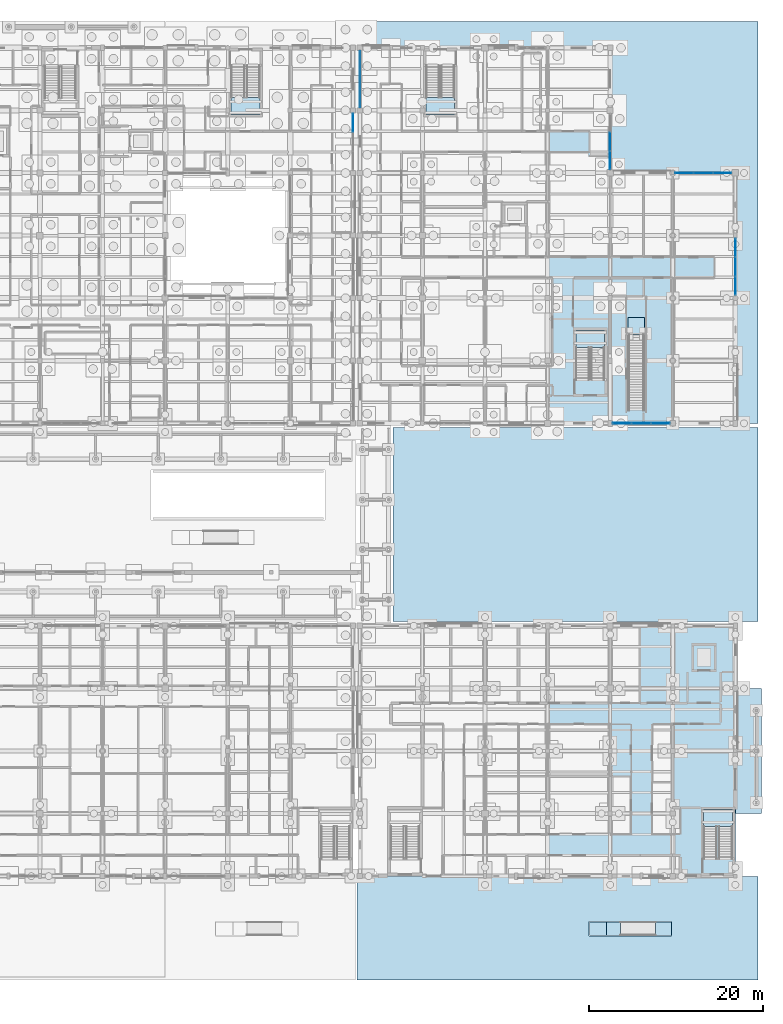
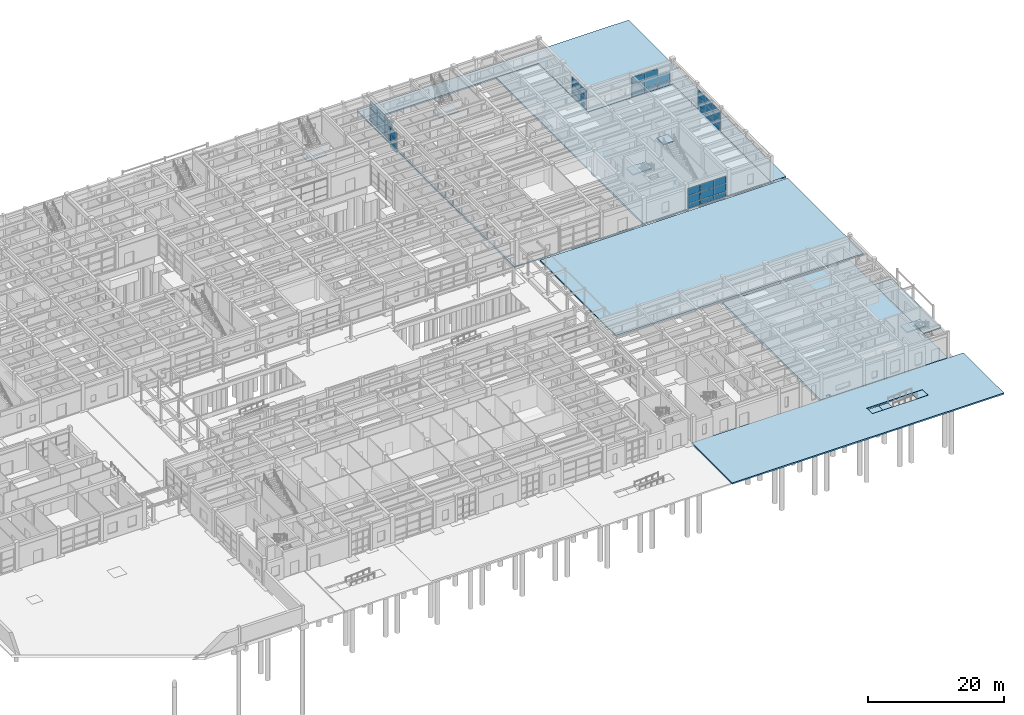
# One storey, part 86 of 143: 44 plates, 14 slabs, 12 elements without a shape of their own.
"""IFC4 building model written with IfcOpenShell, lengths in metres."""

from ifc_helpers import new_model, si_unit, direction, frame, origin, origin_2d, place, context, subcontext, project, spatial, polyline, rectangle, outline, extrude, material, layer, layer_set, type_object, element, aggregate, save


model = new_model("IFC4")

# Units and contexts
model_context = context("Model", 3, precision=1e-05, world=origin(), true_north=direction((0.0, 1.0)))
body_context = subcontext(model_context, "Body", "Model", "MODEL_VIEW")
ifc_project = project(units=[si_unit("LENGTHUNIT", "METRE"), si_unit("AREAUNIT", "SQUARE_METRE"), si_unit("VOLUMEUNIT", "CUBIC_METRE"), si_unit("PLANEANGLEUNIT", "RADIAN"), si_unit("MASSUNIT", "GRAM", prefix="KILO")], contexts=[model_context])

# Site, building, storey
site_placement = place(None, origin())
site = spatial("IfcSite", under=ifc_project, at=site_placement, CompositionType="ELEMENT")
building_placement = place(site_placement, origin())
building = spatial("IfcBuilding", under=site, at=building_placement, Name="Steenspoor Specialist Clinic", CompositionType="ELEMENT")
storey_placement = place(building_placement, origin())
storey = spatial("IfcBuildingStorey", under=building, at=storey_placement, Name="L00", CompositionType="ELEMENT", Elevation=0.0)

# Curtain wall, plates
ifc_material_1 = material(Name="Thermally broken aluminium and low-emissivity glass", Category="aluminium")
curtain_wall_type_1 = type_object("IfcCurtainWallType", Name="CW-SCR-360X320", PredefinedType="USERDEFINED", material=ifc_material_1)
curtain_wall_1_placement = place(storey_placement, origin())
curtain_wall_1 = element("IfcCurtainWall", 1, at=curtain_wall_1_placement, inside=storey, type_object=curtain_wall_type_1, Name="Unitised Curtain Wall CW-V6-L00-163", ObjectType="UNITISED GLAZING", PredefinedType="USERDEFINED")
ifc_material_2 = material(Name="Triple acoustic laminated low-emissivity glass", Category="glass")
ifc_layer_1 = layer(ifc_material_2, 0.048095703125)
ifc_layer_set_1 = layer_set([ifc_layer_1], Name="Triple acoustic laminated low-emissivity glass")
plate_type_1 = type_object("IfcPlateType", Name="CW-PAN-GL48", PredefinedType="CURTAIN_PANEL", material=ifc_layer_set_1)
plate_1_placement = place(storey_placement, frame((161.199951171875, 85.350830078125, 0.06005859375), z_axis=(0.0, 0.0, 1.0), x_axis=(0.0, -1.0, 0.0)))
plate_1 = element("IfcPlate", 2, at=plate_1_placement, type_object=plate_type_1, Name="CW-19 panel 1.1", PredefinedType="CURTAIN_PANEL", context=body_context, shape_type="SweptSolid", body=[
    extrude(rectangle(XDim=2.08837890625, YDim=0.048095703125, at=origin_2d()), origin(), (0.0, 0.0, 1.0), 0.81005859375),
])
plate_2_placement = place(storey_placement, frame((161.199951171875, 85.350830078125, 0.93017578125), z_axis=(0.0, 0.0, 1.0), x_axis=(0.0, -1.0, 0.0)))
plate_2 = element("IfcPlate", 3, at=plate_2_placement, type_object=plate_type_1, Name="CW-19 panel 1.2", PredefinedType="CURTAIN_PANEL", context=body_context, shape_type="SweptSolid", body=[
    extrude(rectangle(XDim=2.08837890625, YDim=0.048095703125, at=origin_2d()), origin(), (0.0, 0.0, 1.0), 1.389892578125),
])
plate_3_placement = place(storey_placement, frame((161.199951171875, 85.350830078125, 2.3798828125), z_axis=(0.0, 0.0, 1.0), x_axis=(0.0, -1.0, 0.0)))
plate_3 = element("IfcPlate", 4, at=plate_3_placement, type_object=plate_type_1, Name="CW-19 panel 1.3", PredefinedType="CURTAIN_PANEL", context=body_context, shape_type="SweptSolid", body=[
    extrude(rectangle(XDim=2.08837890625, YDim=0.048095703125, at=origin_2d()), origin(), (0.0, 0.0, 1.0), 1.260009765625),
])
plate_4_placement = place(storey_placement, frame((161.199951171875, 83.16259765625, 0.06005859375), z_axis=(0.0, 0.0, 1.0), x_axis=(0.0, -1.0, 0.0)))
plate_4 = element("IfcPlate", 5, at=plate_4_placement, type_object=plate_type_1, Name="CW-19 panel 2.1", PredefinedType="CURTAIN_PANEL", context=body_context, shape_type="SweptSolid", body=[
    extrude(rectangle(XDim=2.12841796875, YDim=0.048095703125, at=origin_2d()), origin(), (0.0, 0.0, 1.0), 0.81005859375),
])
plate_5_placement = place(storey_placement, frame((161.199951171875, 83.16259765625, 0.93017578125), z_axis=(0.0, 0.0, 1.0), x_axis=(0.0, -1.0, 0.0)))
plate_5 = element("IfcPlate", 6, at=plate_5_placement, type_object=plate_type_1, Name="CW-19 panel 2.2", PredefinedType="CURTAIN_PANEL", context=body_context, shape_type="SweptSolid", body=[
    extrude(rectangle(XDim=2.12841796875, YDim=0.048095703125, at=origin_2d()), origin(), (0.0, 0.0, 1.0), 1.389892578125),
])
plate_6_placement = place(storey_placement, frame((161.199951171875, 83.16259765625, 2.3798828125), z_axis=(0.0, 0.0, 1.0), x_axis=(0.0, -1.0, 0.0)))
plate_6 = element("IfcPlate", 7, at=plate_6_placement, type_object=plate_type_1, Name="CW-19 panel 2.3", PredefinedType="CURTAIN_PANEL", context=body_context, shape_type="SweptSolid", body=[
    extrude(rectangle(XDim=2.12841796875, YDim=0.048095703125, at=origin_2d()), origin(), (0.0, 0.0, 1.0), 1.260009765625),
])
plate_7_placement = place(storey_placement, frame((161.199951171875, 80.97412109375, 0.06005859375), z_axis=(0.0, 0.0, 1.0), x_axis=(0.0, -1.0, 0.0)))
plate_7 = element("IfcPlate", 8, at=plate_7_placement, type_object=plate_type_1, Name="CW-19 panel 3.1", PredefinedType="CURTAIN_PANEL", context=body_context, shape_type="SweptSolid", body=[
    extrude(rectangle(XDim=2.08837890625, YDim=0.048095703125, at=origin_2d()), origin(), (0.0, 0.0, 1.0), 0.81005859375),
])
plate_8_placement = place(storey_placement, frame((161.199951171875, 80.97412109375, 0.93017578125), z_axis=(0.0, 0.0, 1.0), x_axis=(0.0, -1.0, 0.0)))
plate_8 = element("IfcPlate", 9, at=plate_8_placement, type_object=plate_type_1, Name="CW-19 panel 3.2", PredefinedType="CURTAIN_PANEL", context=body_context, shape_type="SweptSolid", body=[
    extrude(rectangle(XDim=2.08837890625, YDim=0.048095703125, at=origin_2d()), origin(), (0.0, 0.0, 1.0), 1.389892578125),
])
plate_9_placement = place(storey_placement, frame((161.199951171875, 80.97412109375, 2.3798828125), z_axis=(0.0, 0.0, 1.0), x_axis=(0.0, -1.0, 0.0)))
plate_9 = element("IfcPlate", 10, at=plate_9_placement, type_object=plate_type_1, Name="CW-19 panel 3.3", PredefinedType="CURTAIN_PANEL", context=body_context, shape_type="SweptSolid", body=[
    extrude(rectangle(XDim=2.08837890625, YDim=0.048095703125, at=origin_2d()), origin(), (0.0, 0.0, 1.0), 1.260009765625),
])
aggregate(curtain_wall_1, [plate_1, plate_2, plate_3, plate_4, plate_5, plate_6, plate_7, plate_8, plate_9])

curtain_wall_type_2 = type_object("IfcCurtainWallType", Name="CW-HALL-660X820", PredefinedType="USERDEFINED", material=ifc_material_1)
curtain_wall_2_placement = place(storey_placement, origin())
curtain_wall_2 = element("IfcCurtainWall", 11, at=curtain_wall_2_placement, inside=storey, type_object=curtain_wall_type_2, Name="Unitised Curtain Wall CW-V6-L00-169", ObjectType="UNITISED GLAZING", PredefinedType="USERDEFINED")
plate_10_placement = place(storey_placement, frame((146.800048828125, 97.5625, 0.08984375), z_axis=(0.0, 0.0, 1.0), x_axis=(0.0, -1.0, 0.0)))
plate_10 = element("IfcPlate", 12, at=plate_10_placement, type_object=plate_type_1, Name="CW-01 panel 2.1", PredefinedType="CURTAIN_PANEL", context=body_context, shape_type="SweptSolid", body=[
    extrude(rectangle(XDim=2.078369140625, YDim=0.048095703125, at=origin_2d()), origin(), (0.0, 0.0, 1.0), 0.764892578125),
])
plate_11_placement = place(storey_placement, frame((146.800048828125, 97.5625, 0.94482421875), z_axis=(0.0, 0.0, 1.0), x_axis=(0.0, -1.0, 0.0)))
plate_11 = element("IfcPlate", 13, at=plate_11_placement, type_object=plate_type_1, Name="CW-01 panel 2.2", PredefinedType="CURTAIN_PANEL", context=body_context, shape_type="SweptSolid", body=[
    extrude(rectangle(XDim=2.078369140625, YDim=0.048095703125, at=origin_2d()), origin(), (0.0, 0.0, 1.0), 1.360107421875),
])
plate_12_placement = place(storey_placement, frame((146.800048828125, 97.5625, 2.39501953125), z_axis=(0.0, 0.0, 1.0), x_axis=(0.0, -1.0, 0.0)))
plate_12 = element("IfcPlate", 14, at=plate_12_placement, type_object=plate_type_1, Name="CW-01 panel 2.3", PredefinedType="CURTAIN_PANEL", context=body_context, shape_type="SweptSolid", body=[
    extrude(rectangle(XDim=2.078369140625, YDim=0.048095703125, at=origin_2d()), origin(), (0.0, 0.0, 1.0), 1.215087890625),
])
plate_13_placement = place(storey_placement, frame((146.800048828125, 95.424072265625, 0.08984375), z_axis=(0.0, 0.0, 1.0), x_axis=(0.0, -1.0, 0.0)))
plate_13 = element("IfcPlate", 15, at=plate_13_placement, type_object=plate_type_1, Name="CW-01 panel 3.1", PredefinedType="CURTAIN_PANEL", context=body_context, shape_type="SweptSolid", body=[
    extrude(rectangle(XDim=2.038330078125, YDim=0.048095703125, at=origin_2d()), origin(), (0.0, 0.0, 1.0), 0.764892578125),
])
plate_14_placement = place(storey_placement, frame((146.800048828125, 95.424072265625, 0.94482421875), z_axis=(0.0, 0.0, 1.0), x_axis=(0.0, -1.0, 0.0)))
plate_14 = element("IfcPlate", 16, at=plate_14_placement, type_object=plate_type_1, Name="CW-01 panel 3.2", PredefinedType="CURTAIN_PANEL", context=body_context, shape_type="SweptSolid", body=[
    extrude(rectangle(XDim=2.038330078125, YDim=0.048095703125, at=origin_2d()), origin(), (0.0, 0.0, 1.0), 1.360107421875),
])
plate_15_placement = place(storey_placement, frame((146.800048828125, 95.424072265625, 2.39501953125), z_axis=(0.0, 0.0, 1.0), x_axis=(0.0, -1.0, 0.0)))
plate_15 = element("IfcPlate", 17, at=plate_15_placement, type_object=plate_type_1, Name="CW-01 panel 3.3", PredefinedType="CURTAIN_PANEL", context=body_context, shape_type="SweptSolid", body=[
    extrude(rectangle(XDim=2.038330078125, YDim=0.048095703125, at=origin_2d()), origin(), (0.0, 0.0, 1.0), 1.215087890625),
])
aggregate(curtain_wall_2, [plate_10, plate_11, plate_12, plate_13, plate_14, plate_15])

curtain_wall_type_3 = type_object("IfcCurtainWallType", Name="CW-HALL-650X820", PredefinedType="USERDEFINED", material=ifc_material_1)
curtain_wall_3_placement = place(storey_placement, origin())
curtain_wall_3 = element("IfcCurtainWall", 18, at=curtain_wall_3_placement, inside=storey, type_object=curtain_wall_type_3, Name="Unitised Curtain Wall CW-V4-L00-050", ObjectType="UNITISED GLAZING", PredefinedType="USERDEFINED")
ifc_material_3 = material(Name="Insulated glazed ceramic spandrel panel", Category="glass")
ifc_layer_2 = layer(ifc_material_3, 0.074951171875)
ifc_layer_set_2 = layer_set([ifc_layer_2], Name="Insulated glazed ceramic spandrel panel")
plate_type_2 = type_object("IfcPlateType", Name="CW-PAN-SP75", PredefinedType="CURTAIN_PANEL", material=ifc_layer_set_2)
plate_16_placement = place(storey_placement, frame((117.199951171875, 99.732421875, 0.080078125), z_axis=(0.0, 0.0, 1.0), x_axis=(0.0, -1.0, 0.0)))
plate_16 = element("IfcPlate", 19, at=plate_16_placement, type_object=plate_type_2, Name="CW-02 panel 1.1", PredefinedType="CURTAIN_PANEL", context=body_context, shape_type="SweptSolid", body=[
    extrude(rectangle(XDim=2.094970703125, YDim=0.074951171875, at=origin_2d()), origin(), (0.0, 0.0, 1.0), 0.780029296875),
])
plate_17_placement = place(storey_placement, frame((117.199951171875, 99.732421875, 0.93994140625), z_axis=(0.0, 0.0, 1.0), x_axis=(0.0, -1.0, 0.0)))
plate_17 = element("IfcPlate", 20, at=plate_17_placement, type_object=plate_type_2, Name="CW-02 panel 1.2", PredefinedType="CURTAIN_PANEL", context=body_context, shape_type="SweptSolid", body=[
    extrude(rectangle(XDim=2.094970703125, YDim=0.074951171875, at=origin_2d()), origin(), (0.0, 0.0, 1.0), 1.3701171875),
])
plate_18_placement = place(storey_placement, frame((117.199951171875, 99.732421875, 2.39013671875), z_axis=(0.0, 0.0, 1.0), x_axis=(0.0, -1.0, 0.0)))
plate_18 = element("IfcPlate", 21, at=plate_18_placement, type_object=plate_type_2, Name="CW-02 panel 1.3", PredefinedType="CURTAIN_PANEL", context=body_context, shape_type="SweptSolid", body=[
    extrude(rectangle(XDim=2.094970703125, YDim=0.074951171875, at=origin_2d()), origin(), (0.0, 0.0, 1.0), 1.260009765625),
])
aggregate(curtain_wall_3, [plate_16, plate_17, plate_18])

curtain_wall_type_4 = type_object("IfcCurtainWallType", Name="CW-WLK-640X340", PredefinedType="USERDEFINED", material=ifc_material_1)
curtain_wall_4_placement = place(storey_placement, origin())
curtain_wall_4 = element("IfcCurtainWall", 22, at=curtain_wall_4_placement, inside=storey, type_object=curtain_wall_type_4, Name="Unitised Curtain Wall CW-V6-L00-164", ObjectType="UNITISED GLAZING", PredefinedType="USERDEFINED")
plate_19_placement = place(storey_placement, frame((152.57421875, 65.14990234375, 0.08984375), z_axis=(0.0, 0.0, 1.0), x_axis=(-1.0, 0.0, 0.0)))
plate_19 = element("IfcPlate", 23, at=plate_19_placement, type_object=plate_type_2, Name="CW-20 panel 1.1", PredefinedType="CURTAIN_PANEL", context=body_context, shape_type="SweptSolid", body=[
    extrude(rectangle(XDim=2.111572265625, YDim=0.074951171875, at=origin_2d()), origin(), (0.0, 0.0, 1.0), 0.764892578125),
])
plate_20_placement = place(storey_placement, frame((152.57421875, 65.14990234375, 0.94482421875), z_axis=(0.0, 0.0, 1.0), x_axis=(-1.0, 0.0, 0.0)))
plate_20 = element("IfcPlate", 24, at=plate_20_placement, type_object=plate_type_2, Name="CW-20 panel 1.2", PredefinedType="CURTAIN_PANEL", context=body_context, shape_type="SweptSolid", body=[
    extrude(rectangle(XDim=2.111572265625, YDim=0.074951171875, at=origin_2d()), origin(), (0.0, 0.0, 1.0), 1.360107421875),
])
plate_21_placement = place(storey_placement, frame((152.57421875, 65.14990234375, 2.39501953125), z_axis=(0.0, 0.0, 1.0), x_axis=(-1.0, 0.0, 0.0)))
plate_21 = element("IfcPlate", 25, at=plate_21_placement, type_object=plate_type_2, Name="CW-20 panel 1.3", PredefinedType="CURTAIN_PANEL", context=body_context, shape_type="SweptSolid", body=[
    extrude(rectangle(XDim=2.111572265625, YDim=0.074951171875, at=origin_2d()), origin(), (0.0, 0.0, 1.0), 1.215087890625),
])
plate_22_placement = place(storey_placement, frame((150.375, 65.14990234375, 0.08984375), z_axis=(0.0, 0.0, 1.0), x_axis=(-1.0, 0.0, 0.0)))
plate_22 = element("IfcPlate", 26, at=plate_22_placement, type_object=plate_type_2, Name="CW-20 panel 2.1", PredefinedType="CURTAIN_PANEL", context=body_context, shape_type="SweptSolid", body=[
    extrude(rectangle(XDim=2.146728515625, YDim=0.074951171875, at=origin_2d()), origin(), (0.0, 0.0, 1.0), 0.764892578125),
])
plate_23_placement = place(storey_placement, frame((150.375, 65.14990234375, 0.94482421875), z_axis=(0.0, 0.0, 1.0), x_axis=(-1.0, 0.0, 0.0)))
plate_23 = element("IfcPlate", 27, at=plate_23_placement, type_object=plate_type_2, Name="CW-20 panel 2.2", PredefinedType="CURTAIN_PANEL", context=body_context, shape_type="SweptSolid", body=[
    extrude(rectangle(XDim=2.146728515625, YDim=0.074951171875, at=origin_2d()), origin(), (0.0, 0.0, 1.0), 1.360107421875),
])
plate_24_placement = place(storey_placement, frame((150.375, 65.14990234375, 2.39501953125), z_axis=(0.0, 0.0, 1.0), x_axis=(-1.0, 0.0, 0.0)))
plate_24 = element("IfcPlate", 28, at=plate_24_placement, type_object=plate_type_2, Name="CW-20 panel 2.3", PredefinedType="CURTAIN_PANEL", context=body_context, shape_type="SweptSolid", body=[
    extrude(rectangle(XDim=2.146728515625, YDim=0.074951171875, at=origin_2d()), origin(), (0.0, 0.0, 1.0), 1.215087890625),
])
plate_25_placement = place(storey_placement, frame((148.17578125, 65.14990234375, 0.08984375), z_axis=(0.0, 0.0, 1.0), x_axis=(-1.0, 0.0, 0.0)))
plate_25 = element("IfcPlate", 29, at=plate_25_placement, type_object=plate_type_2, Name="CW-20 panel 3.1", PredefinedType="CURTAIN_PANEL", context=body_context, shape_type="SweptSolid", body=[
    extrude(rectangle(XDim=2.111572265625, YDim=0.074951171875, at=origin_2d()), origin(), (0.0, 0.0, 1.0), 0.764892578125),
])
plate_26_placement = place(storey_placement, frame((148.17578125, 65.14990234375, 0.94482421875), z_axis=(0.0, 0.0, 1.0), x_axis=(-1.0, 0.0, 0.0)))
plate_26 = element("IfcPlate", 30, at=plate_26_placement, type_object=plate_type_2, Name="CW-20 panel 3.2", PredefinedType="CURTAIN_PANEL", context=body_context, shape_type="SweptSolid", body=[
    extrude(rectangle(XDim=2.111572265625, YDim=0.074951171875, at=origin_2d()), origin(), (0.0, 0.0, 1.0), 1.360107421875),
])
plate_27_placement = place(storey_placement, frame((148.17578125, 65.14990234375, 2.39501953125), z_axis=(0.0, 0.0, 1.0), x_axis=(-1.0, 0.0, 0.0)))
plate_27 = element("IfcPlate", 31, at=plate_27_placement, type_object=plate_type_2, Name="CW-20 panel 3.3", PredefinedType="CURTAIN_PANEL", context=body_context, shape_type="SweptSolid", body=[
    extrude(rectangle(XDim=2.111572265625, YDim=0.074951171875, at=origin_2d()), origin(), (0.0, 0.0, 1.0), 1.215087890625),
])
aggregate(curtain_wall_4, [plate_19, plate_20, plate_21, plate_22, plate_23, plate_24, plate_25, plate_26, plate_27])

curtain_wall_type_5 = type_object("IfcCurtainWallType", Name="CW-STR-220X355", PredefinedType="USERDEFINED", material=ifc_material_1)
curtain_wall_5_placement = place(storey_placement, origin())
curtain_wall_5 = element("IfcCurtainWall", 32, at=curtain_wall_5_placement, inside=storey, type_object=curtain_wall_type_5, Name="Unitised Curtain Wall CW-V6-L00-167", ObjectType="UNITISED GLAZING", PredefinedType="USERDEFINED")
plate_28_placement = place(storey_placement, frame((118.0, 102.572509765625, 0.06494140625), z_axis=(0.0, 0.0, 1.0), x_axis=(0.0, 1.0, 0.0)))
plate_28 = element("IfcPlate", 33, at=plate_28_placement, type_object=plate_type_2, Name="CW-23 panel 1.1", PredefinedType="CURTAIN_PANEL", context=body_context, shape_type="SweptSolid", body=[
    extrude(rectangle(XDim=2.06494140625, YDim=0.074951171875, at=origin_2d()), origin(), (0.0, 0.0, 1.0), 0.802490234375),
])
plate_29_placement = place(storey_placement, frame((118.0, 102.572509765625, 0.9326171875), z_axis=(0.0, 0.0, 1.0), x_axis=(0.0, 1.0, 0.0)))
plate_29 = element("IfcPlate", 34, at=plate_29_placement, type_object=plate_type_2, Name="CW-23 panel 1.2", PredefinedType="CURTAIN_PANEL", context=body_context, shape_type="SweptSolid", body=[
    extrude(rectangle(XDim=2.06494140625, YDim=0.074951171875, at=origin_2d()), origin(), (0.0, 0.0, 1.0), 1.385009765625),
])
plate_30_placement = place(storey_placement, frame((118.0, 102.572509765625, 2.382568359375), z_axis=(0.0, 0.0, 1.0), x_axis=(0.0, 1.0, 0.0)))
plate_30 = element("IfcPlate", 35, at=plate_30_placement, type_object=plate_type_2, Name="CW-23 panel 1.3", PredefinedType="CURTAIN_PANEL", context=body_context, shape_type="SweptSolid", body=[
    extrude(rectangle(XDim=2.06494140625, YDim=0.074951171875, at=origin_2d()), origin(), (0.0, 0.0, 1.0), 1.25244140625),
])
plate_31_placement = place(storey_placement, frame((118.0, 104.75, 0.06494140625), z_axis=(0.0, 0.0, 1.0), x_axis=(0.0, 1.0, 0.0)))
plate_31 = element("IfcPlate", 36, at=plate_31_placement, type_object=plate_type_2, Name="CW-23 panel 2.1", PredefinedType="CURTAIN_PANEL", context=body_context, shape_type="SweptSolid", body=[
    extrude(rectangle(XDim=2.110107421875, YDim=0.074951171875, at=origin_2d()), origin(), (0.0, 0.0, 1.0), 0.802490234375),
])
plate_32_placement = place(storey_placement, frame((118.0, 104.75, 0.9326171875), z_axis=(0.0, 0.0, 1.0), x_axis=(0.0, 1.0, 0.0)))
plate_32 = element("IfcPlate", 37, at=plate_32_placement, type_object=plate_type_2, Name="CW-23 panel 2.2", PredefinedType="CURTAIN_PANEL", context=body_context, shape_type="SweptSolid", body=[
    extrude(rectangle(XDim=2.110107421875, YDim=0.074951171875, at=origin_2d()), origin(), (0.0, 0.0, 1.0), 1.385009765625),
])
plate_33_placement = place(storey_placement, frame((118.0, 104.75, 2.382568359375), z_axis=(0.0, 0.0, 1.0), x_axis=(0.0, 1.0, 0.0)))
plate_33 = element("IfcPlate", 38, at=plate_33_placement, type_object=plate_type_2, Name="CW-23 panel 2.3", PredefinedType="CURTAIN_PANEL", context=body_context, shape_type="SweptSolid", body=[
    extrude(rectangle(XDim=2.110107421875, YDim=0.074951171875, at=origin_2d()), origin(), (0.0, 0.0, 1.0), 1.25244140625),
])
plate_34_placement = place(storey_placement, frame((118.0, 106.927490234375, 0.06494140625), z_axis=(0.0, 0.0, 1.0), x_axis=(0.0, 1.0, 0.0)))
plate_34 = element("IfcPlate", 39, at=plate_34_placement, type_object=plate_type_2, Name="CW-23 panel 3.1", PredefinedType="CURTAIN_PANEL", context=body_context, shape_type="SweptSolid", body=[
    extrude(rectangle(XDim=2.06494140625, YDim=0.074951171875, at=origin_2d()), origin(), (0.0, 0.0, 1.0), 0.802490234375),
])
plate_35_placement = place(storey_placement, frame((118.0, 106.927490234375, 0.9326171875), z_axis=(0.0, 0.0, 1.0), x_axis=(0.0, 1.0, 0.0)))
plate_35 = element("IfcPlate", 40, at=plate_35_placement, type_object=plate_type_2, Name="CW-23 panel 3.2", PredefinedType="CURTAIN_PANEL", context=body_context, shape_type="SweptSolid", body=[
    extrude(rectangle(XDim=2.06494140625, YDim=0.074951171875, at=origin_2d()), origin(), (0.0, 0.0, 1.0), 1.385009765625),
])
plate_36_placement = place(storey_placement, frame((118.0, 106.927490234375, 2.382568359375), z_axis=(0.0, 0.0, 1.0), x_axis=(0.0, 1.0, 0.0)))
plate_36 = element("IfcPlate", 41, at=plate_36_placement, type_object=plate_type_2, Name="CW-23 panel 3.3", PredefinedType="CURTAIN_PANEL", context=body_context, shape_type="SweptSolid", body=[
    extrude(rectangle(XDim=2.06494140625, YDim=0.074951171875, at=origin_2d()), origin(), (0.0, 0.0, 1.0), 1.25244140625),
])
aggregate(curtain_wall_5, [plate_28, plate_29, plate_30, plate_31, plate_32, plate_33, plate_34, plate_35, plate_36])

curtain_wall_6_placement = place(storey_placement, origin())
curtain_wall_6 = element("IfcCurtainWall", 42, at=curtain_wall_6_placement, inside=storey, type_object=curtain_wall_type_3, Name="Unitised Curtain Wall CW-V6-L00-170", ObjectType="UNITISED GLAZING", PredefinedType="USERDEFINED")
plate_37_placement = place(storey_placement, frame((155.32177734375, 93.949951171875, 0.080078125), z_axis=(0.0, 0.0, 1.0), x_axis=(1.0, 0.0, 0.0)))
plate_37 = element("IfcPlate", 43, at=plate_37_placement, type_object=plate_type_2, Name="CW-02 panel 1.1", PredefinedType="CURTAIN_PANEL", context=body_context, shape_type="SweptSolid", body=[
    extrude(rectangle(XDim=2.103271484375, YDim=0.074951171875, at=origin_2d()), origin(), (0.0, 0.0, 1.0), 0.780029296875),
])
plate_38_placement = place(storey_placement, frame((155.32177734375, 93.949951171875, 0.93994140625), z_axis=(0.0, 0.0, 1.0), x_axis=(1.0, 0.0, 0.0)))
plate_38 = element("IfcPlate", 44, at=plate_38_placement, type_object=plate_type_2, Name="CW-02 panel 1.2", PredefinedType="CURTAIN_PANEL", context=body_context, shape_type="SweptSolid", body=[
    extrude(rectangle(XDim=2.103271484375, YDim=0.074951171875, at=origin_2d()), origin(), (0.0, 0.0, 1.0), 1.3701171875),
])
plate_39_placement = place(storey_placement, frame((155.32177734375, 93.949951171875, 2.389892578125), z_axis=(0.0, 0.0, 1.0), x_axis=(1.0, 0.0, 0.0)))
plate_39 = element("IfcPlate", 45, at=plate_39_placement, type_object=plate_type_2, Name="CW-02 panel 1.3", PredefinedType="CURTAIN_PANEL", context=body_context, shape_type="SweptSolid", body=[
    extrude(rectangle(XDim=2.103271484375, YDim=0.074951171875, at=origin_2d()), origin(), (0.0, 0.0, 1.0), 1.22998046875),
])
plate_40_placement = place(storey_placement, frame((157.512451171875, 93.949951171875, 0.080078125), z_axis=(0.0, 0.0, 1.0), x_axis=(1.0, 0.0, 0.0)))
plate_40 = element("IfcPlate", 46, at=plate_40_placement, type_object=plate_type_2, Name="CW-02 panel 2.1", PredefinedType="CURTAIN_PANEL", context=body_context, shape_type="SweptSolid", body=[
    extrude(rectangle(XDim=2.138427734375, YDim=0.074951171875, at=origin_2d()), origin(), (0.0, 0.0, 1.0), 0.780029296875),
])
plate_41_placement = place(storey_placement, frame((157.512451171875, 93.949951171875, 0.93994140625), z_axis=(0.0, 0.0, 1.0), x_axis=(1.0, 0.0, 0.0)))
plate_41 = element("IfcPlate", 47, at=plate_41_placement, type_object=plate_type_2, Name="CW-02 panel 2.2", PredefinedType="CURTAIN_PANEL", context=body_context, shape_type="SweptSolid", body=[
    extrude(rectangle(XDim=2.138427734375, YDim=0.074951171875, at=origin_2d()), origin(), (0.0, 0.0, 1.0), 1.3701171875),
])
plate_42_placement = place(storey_placement, frame((157.512451171875, 93.949951171875, 2.389892578125), z_axis=(0.0, 0.0, 1.0), x_axis=(1.0, 0.0, 0.0)))
plate_42 = element("IfcPlate", 48, at=plate_42_placement, type_object=plate_type_2, Name="CW-02 panel 2.3", PredefinedType="CURTAIN_PANEL", context=body_context, shape_type="SweptSolid", body=[
    extrude(rectangle(XDim=2.138427734375, YDim=0.074951171875, at=origin_2d()), origin(), (0.0, 0.0, 1.0), 1.22998046875),
])
plate_43_placement = place(storey_placement, frame((159.703369140625, 93.949951171875, 0.080078125), z_axis=(0.0, 0.0, 1.0), x_axis=(1.0, 0.0, 0.0)))
plate_43 = element("IfcPlate", 49, at=plate_43_placement, type_object=plate_type_2, Name="CW-02 panel 3.1", PredefinedType="CURTAIN_PANEL", context=body_context, shape_type="SweptSolid", body=[
    extrude(rectangle(XDim=2.103271484375, YDim=0.074951171875, at=origin_2d()), origin(), (0.0, 0.0, 1.0), 0.780029296875),
])
plate_44_placement = place(storey_placement, frame((159.703369140625, 93.949951171875, 0.93994140625), z_axis=(0.0, 0.0, 1.0), x_axis=(1.0, 0.0, 0.0)))
plate_44 = element("IfcPlate", 50, at=plate_44_placement, type_object=plate_type_2, Name="CW-02 panel 3.2", PredefinedType="CURTAIN_PANEL", context=body_context, shape_type="SweptSolid", body=[
    extrude(rectangle(XDim=2.103271484375, YDim=0.074951171875, at=origin_2d()), origin(), (0.0, 0.0, 1.0), 1.3701171875),
])
aggregate(curtain_wall_6, [plate_37, plate_38, plate_39, plate_40, plate_41, plate_42, plate_43, plate_44])

# Slab
ifc_material_4 = material(Name="Concrete C35/45", Category="concrete")
ifc_layer_3 = layer(ifc_material_4, 0.300048828125)
ifc_layer_set_3 = layer_set([ifc_layer_3], Name="Concrete C35/45")
slab_type_1 = type_object("IfcSlabType", Name="SL-BASE-300", PredefinedType="BASESLAB", material=ifc_layer_set_3)
slab_1_placement = place(storey_placement, frame((0.0, 0.0, -0.300048828125)))
element("IfcSlab", 51, at=slab_1_placement, inside=storey, type_object=slab_type_1, Name="Structural Slab SLAB-V6-L00-045", PredefinedType="BASESLAB", context=body_context, shape_type="SweptSolid", body=[
    extrude(outline(polyline([(161.199951171875, 65.14990234375), (139.60009765625, 65.14990234375), (139.60009765625, 108.35009765625), (146.800048828125, 108.35009765625), (146.800048828125, 93.949951171875), (161.199951171875, 93.949951171875), (161.199951171875, 65.14990234375)])), origin(), (0.0, 0.0, 1.0), 0.300048828125),
])

# Stair, slab
stair_type_1 = type_object("IfcStairType", Name="ST-CORE-L00", PredefinedType="HALF_TURN_STAIR", material=ifc_material_4)
stair_1_placement = place(storey_placement, origin())
stair_1 = element("IfcStair", 52, at=stair_1_placement, inside=storey, type_object=stair_type_1, Name="L00 Enclosed Exit Stair ST-V2B", PredefinedType="HALF_TURN_STAIR")
ifc_layer_4 = layer(ifc_material_4, 0.199951171875)
ifc_layer_set_4 = layer_set([ifc_layer_4], Name="Concrete C35/45")
slab_type_2 = type_object("IfcSlabType", Name="SL-LAND-200", PredefinedType="LANDING", material=ifc_layer_set_4)
slab_2_placement = place(storey_placement, frame((0.0, 0.0, 2.199951171875)))
slab_2 = element("IfcSlab", 53, at=slab_2_placement, type_object=slab_type_2, Name="ST-V2B landing 1", PredefinedType="LANDING", context=body_context, shape_type="SweptSolid", body=[
    extrude(outline(polyline([(160.85009765625, 18.7548828125), (160.85009765625, 20.699951171875), (157.550048828125, 20.699951171875), (157.550048828125, 18.7548828125), (160.85009765625, 18.7548828125)])), origin(), (0.0, 0.0, 1.0), 0.199951171875),
])
aggregate(stair_1, [slab_2])

stair_2_placement = place(storey_placement, origin())
stair_2 = element("IfcStair", 54, at=stair_2_placement, inside=storey, type_object=stair_type_1, Name="L00 Enclosed Exit Stair ST-V4B", PredefinedType="HALF_TURN_STAIR")
slab_3_placement = place(storey_placement, frame((0.0, 0.0, 2.199951171875)))
slab_3 = element("IfcSlab", 55, at=slab_3_placement, type_object=slab_type_2, Name="ST-V4B landing 1", PredefinedType="LANDING", context=body_context, shape_type="SweptSolid", body=[
    extrude(outline(polyline([(103.199951171875, 102.64501953125), (103.199951171875, 100.699951171875), (106.5, 100.699951171875), (106.5, 102.64501953125), (103.199951171875, 102.64501953125)])), origin(), (0.0, 0.0, 1.0), 0.199951171875),
])
aggregate(stair_2, [slab_3])

stair_3_placement = place(storey_placement, origin())
stair_3 = element("IfcStair", 56, at=stair_3_placement, inside=storey, type_object=stair_type_1, Name="L00 Enclosed Exit Stair ST-V6A", PredefinedType="HALF_TURN_STAIR")
slab_4_placement = place(storey_placement, frame((0.0, 0.0, 2.199951171875)))
slab_4 = element("IfcSlab", 57, at=slab_4_placement, type_object=slab_type_2, Name="ST-V6A landing 1", PredefinedType="LANDING", context=body_context, shape_type="SweptSolid", body=[
    extrude(outline(polyline([(125.60009765625, 102.64501953125), (125.60009765625, 100.699951171875), (128.89990234375, 100.699951171875), (128.89990234375, 102.64501953125), (125.60009765625, 102.64501953125)])), origin(), (0.0, 0.0, 1.0), 0.199951171875),
])
aggregate(stair_3, [slab_4])

stair_4_placement = place(storey_placement, origin())
stair_4 = element("IfcStair", 58, at=stair_4_placement, inside=storey, type_object=stair_type_1, Name="L00 Enclosed Exit Stair ST-V6B", PredefinedType="HALF_TURN_STAIR")
slab_5_placement = place(storey_placement, frame((0.0, 0.0, 2.199951171875)))
slab_5 = element("IfcSlab", 59, at=slab_5_placement, type_object=slab_type_2, Name="ST-V6B landing 1", PredefinedType="LANDING", context=body_context, shape_type="SweptSolid", body=[
    extrude(outline(polyline([(146.14990234375, 73.85498046875), (146.14990234375, 75.800048828125), (142.85009765625, 75.800048828125), (142.85009765625, 73.85498046875), (146.14990234375, 73.85498046875)])), origin(), (0.0, 0.0, 1.0), 0.199951171875),
])
aggregate(stair_4, [slab_5])

stair_type_2 = type_object("IfcStairType", Name="ST-FEAT-L00", PredefinedType="STRAIGHT_RUN_STAIR", material=ifc_material_4)
stair_5_placement = place(storey_placement, origin())
stair_5 = element("IfcStair", 60, at=stair_5_placement, inside=storey, type_object=stair_type_2, Name="Feature Atrium Stair ST-F04", PredefinedType="STRAIGHT_RUN_STAIR")
slab_6_placement = place(storey_placement, frame((0.0, 0.0, 4.60009765625)))
slab_6 = element("IfcSlab", 61, at=slab_6_placement, type_object=slab_type_2, Name="ST-F04 landing 1", PredefinedType="LANDING", context=body_context, shape_type="SweptSolid", body=[
    extrude(outline(polyline([(148.875, 75.300048828125), (150.72509765625, 75.300048828125), (150.72509765625, 77.300048828125), (148.875, 77.300048828125), (148.875, 75.300048828125)])), origin(), (0.0, 0.0, 1.0), 0.199951171875),
])
aggregate(stair_5, [slab_6])

# Slabs
ifc_layer_5 = layer(ifc_material_4, 0.449951171875)
ifc_layer_set_5 = layer_set([ifc_layer_5], Name="Concrete C35/45")
slab_type_3 = type_object("IfcSlabType", Name="SL-MRI-450", PredefinedType="BASESLAB", material=ifc_layer_set_5)
slab_7_placement = place(storey_placement, frame((0.0, 0.0, -0.449951171875)))
element("IfcSlab", 62, at=slab_7_placement, inside=storey, type_object=slab_type_3, Name="Structural Slab SLAB-V2-L00-009", PredefinedType="BASESLAB", context=body_context, shape_type="SweptSolid", body=[
    extrude(outline(polyline([(161.199951171875, 13.050048828125), (141.449951171875, 13.050048828125), (141.449951171875, 13.60009765625), (140.800048828125, 13.60009765625), (140.800048828125, 13.050048828125), (139.60009765625, 13.050048828125), (139.60009765625, 41.85009765625), (161.199951171875, 41.85009765625), (161.199951171875, 13.050048828125)])), origin(), (0.0, 0.0, 1.0), 0.449951171875),
])
ifc_layer_6 = layer(ifc_material_4, 0.25)
ifc_layer_set_6 = layer_set([ifc_layer_6], Name="Concrete C35/45")
slab_type_4 = type_object("IfcSlabType", Name="SL-PLAZA-250", PredefinedType="BASESLAB", material=ifc_layer_set_6)
slab_8_placement = place(storey_placement, frame((0.0, 0.0, -0.550048828125)))
element("IfcSlab", 63, at=slab_8_placement, inside=storey, type_object=slab_type_4, Name="Outdoor Drop-Off Ramp Kerb Paving Slab APRON-RMP-03", PredefinedType="BASESLAB", context=body_context, shape_type="SweptSolid", body=[
    extrude(outline(polyline([(146.3798828125, 6.199951171875), (146.3798828125, 7.800048828125), (144.39990234375, 7.800048828125), (144.39990234375, 6.199951171875), (146.3798828125, 6.199951171875)])), origin(), (0.0, 0.0, 1.0), 0.25),
])
slab_9_placement = place(storey_placement, frame((0.0, 0.0, -0.25)))
element("IfcSlab", 64, at=slab_9_placement, inside=storey, type_object=slab_type_4, Name="Outdoor Campus Plaza Paving Slab PLAZA-SOUTH-APRON-01", PredefinedType="BASESLAB", context=body_context, shape_type="SweptSolid", body=[
    extrude(outline(polyline([(163.800048828125, 13.0), (163.800048828125, 1.10009765625), (117.699951171875, 1.10009765625), (117.699951171875, 13.0), (163.800048828125, 13.0)]), holes=[polyline([(153.8701171875, 6.179931640625), (153.8701171875, 7.820068359375), (144.3798828125, 7.820068359375), (144.3798828125, 6.179931640625), (153.8701171875, 6.179931640625)])]), origin(), (0.0, 0.0, 1.0), 0.25),
])
slab_10_placement = place(storey_placement, frame((0.0, 0.0, -0.25)))
element("IfcSlab", 65, at=slab_10_placement, inside=storey, type_object=slab_type_4, Name="Outdoor Campus Plaza Paving Slab PLAZA-EAST-COURT-02", PredefinedType="BASESLAB", context=body_context, shape_type="SweptSolid", body=[
    extrude(outline(polyline([(163.800048828125, 42.35009765625), (121.800048828125, 42.35009765625), (121.800048828125, 64.64990234375), (163.800048828125, 64.64990234375), (163.800048828125, 42.35009765625)])), origin(), (0.0, 0.0, 1.0), 0.25),
])
slab_11_placement = place(storey_placement, frame((0.0, 0.0, -0.25)))
element("IfcSlab", 66, at=slab_11_placement, inside=storey, type_object=slab_type_4, Name="Outdoor Campus Plaza Paving Slab PLAZA-NORTH-PERIM-01", PredefinedType="BASESLAB", context=body_context, shape_type="SweptSolid", body=[
    extrude(outline(polyline([(163.800048828125, 111.39990234375), (163.800048828125, 65.10009765625), (117.699951171875, 65.10009765625), (117.699951171875, 111.39990234375), (163.800048828125, 111.39990234375)]), holes=[polyline([(146.820068359375, 108.3701171875), (117.97998046875, 108.3701171875), (117.97998046875, 65.1298828125), (161.219970703125, 65.1298828125), (161.219970703125, 93.969970703125), (146.820068359375, 93.969970703125), (146.820068359375, 108.3701171875)])]), origin(), (0.0, 0.0, 1.0), 0.25),
])

# Ramp, slabs
ramp_type = type_object("IfcRampType", Name="RAMP-CONADI-075", PredefinedType="STRAIGHT_RUN_RAMP", material=ifc_material_4)
ramp_placement = place(storey_placement, origin())
ramp = element("IfcRamp", 67, at=ramp_placement, inside=storey, type_object=ramp_type, Name="Accessible Ramp RMP-03", PredefinedType="STRAIGHT_RUN_RAMP")
ifc_layer_7 = layer(ifc_material_4, 0.159912109375)
ifc_layer_set_7 = layer_set([ifc_layer_7], Name="Concrete C35/45")
slab_type_5 = type_object("IfcSlabType", Name="SL-RLAND-160", PredefinedType="LANDING", material=ifc_layer_set_7)
slab_12_placement = place(storey_placement, frame((0.0, 0.0, -0.159912109375)))
slab_12 = element("IfcSlab", 68, at=slab_12_placement, type_object=slab_type_5, Name="Ramp Top Landing RMP-03", PredefinedType="LANDING", context=body_context, shape_type="SweptSolid", body=[
    extrude(outline(polyline([(152.0, 6.199951171875), (153.85009765625, 6.199951171875), (153.85009765625, 7.800048828125), (152.0, 7.800048828125), (152.0, 6.199951171875)])), origin(), (0.0, 0.0, 1.0), 0.159912109375),
])
slab_13_placement = place(storey_placement, frame((0.0, 0.0, -0.4599609375)))
slab_13 = element("IfcSlab", 69, at=slab_13_placement, type_object=slab_type_5, Name="Ramp Bottom Landing RMP-03", PredefinedType="LANDING", context=body_context, shape_type="SweptSolid", body=[
    extrude(outline(polyline([(146.39990234375, 6.199951171875), (148.0, 6.199951171875), (148.0, 7.800048828125), (146.39990234375, 7.800048828125), (146.39990234375, 6.199951171875)])), origin(), (0.0, 0.0, 1.0), 0.159912109375),
])
aggregate(ramp, [slab_12, slab_13])

# Slab
ifc_layer_8 = layer(ifc_material_4, 0.18994140625)
ifc_layer_set_8 = layer_set([ifc_layer_8], Name="Concrete C35/45")
slab_type_6 = type_object("IfcSlabType", Name="SL-WALK-190", PredefinedType="FLOOR", material=ifc_layer_set_8)
slab_14_placement = place(storey_placement, frame((0.0, 0.0, -0.18994140625)))
element("IfcSlab", 70, at=slab_14_placement, inside=storey, type_object=slab_type_6, Name="East Imaging Arrival Colonnade Porch Terrace Deck", PredefinedType="FLOOR", context=body_context, shape_type="SweptSolid", body=[
    extrude(outline(polyline([(164.199951171875, 20.25), (164.199951171875, 34.64990234375), (161.199951171875, 34.64990234375), (161.199951171875, 20.25), (164.199951171875, 20.25)])), origin(), (0.0, 0.0, 1.0), 0.18994140625),
])

save(model, "model.ifc")
